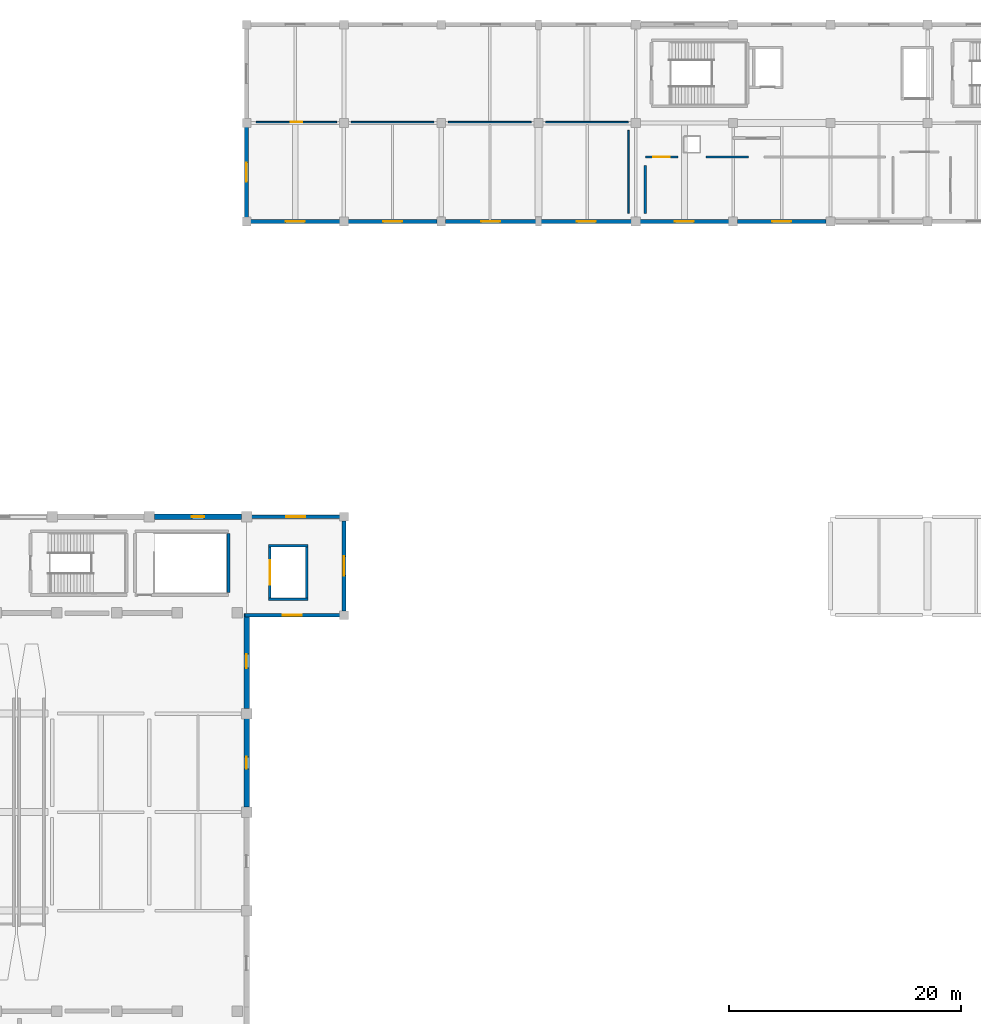
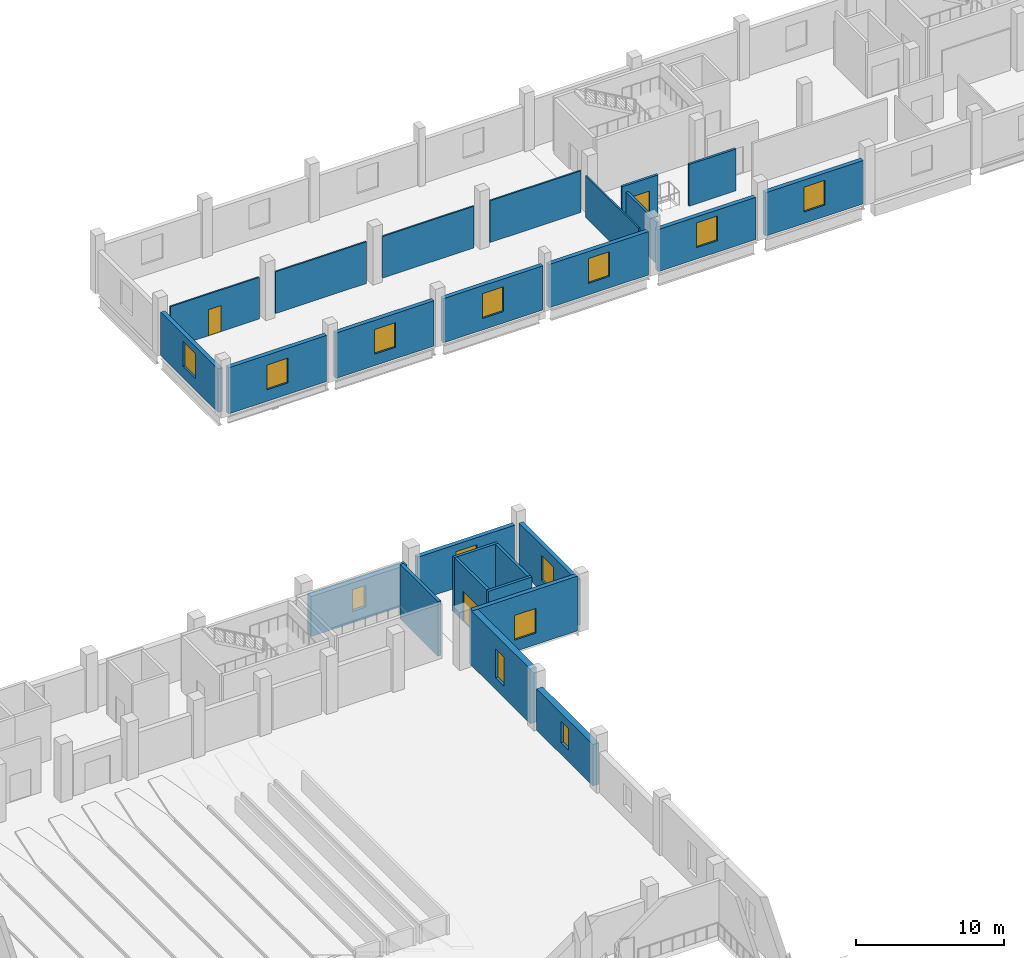
# One storey, part 104 of 117: 26 walls, 13 windows, 3 doors, 16 openings.
"""IFC4 building model written with IfcOpenShell, lengths in metres."""

from ifc_helpers import new_model, si_unit, direction, frame, frame_2d, origin, place, context, subcontext, project, spatial, rectangle, extrude, material, layer, layer_set, type_object, element, fill, save


model = new_model("IFC4")

# Units and contexts
model_context = context("Model", 3, precision=1e-05, world=origin(), true_north=direction((0.0, 1.0)))
body_context = subcontext(model_context, "Body", "Model", "MODEL_VIEW")
ifc_project = project(units=[si_unit("LENGTHUNIT", "METRE"), si_unit("AREAUNIT", "SQUARE_METRE"), si_unit("VOLUMEUNIT", "CUBIC_METRE"), si_unit("PLANEANGLEUNIT", "RADIAN"), si_unit("MASSUNIT", "GRAM", prefix="KILO")], contexts=[model_context])

# Site, building, storey
site_placement = place(None, origin())
site = spatial("IfcSite", under=ifc_project, at=site_placement, CompositionType="ELEMENT")
building_placement = place(site_placement, origin())
building = spatial("IfcBuilding", under=site, at=building_placement, Name="Solvento Point Concert Hall", CompositionType="ELEMENT")
storey_placement = place(building_placement, frame((0.0, 0.0, 5.39990234375)))
storey = spatial("IfcBuildingStorey", under=building, at=storey_placement, Name="L01", CompositionType="ELEMENT", Elevation=5.39990234375)

# Wall, opening, door
ifc_material_1 = material(Name="Acoustic Double-Stud Gypsum Partition")
ifc_layer_1 = layer(ifc_material_1, 0.1201171875)
ifc_layer_set_1 = layer_set([ifc_layer_1], Name="Acoustic Double-Stud Gypsum Partition")
wall_type_1 = type_object("IfcWallType", Name="AcousticPartition_120", PredefinedType="PARTITIONING", material=ifc_layer_set_1)
wall_1_placement = place(storey_placement, frame((134.02001953125, 127.580078125, 0.0), z_axis=(0.0, 0.0, 1.0), x_axis=(1.0, 0.0, 0.0)))
wall_1 = element("IfcWall", 1, at=wall_1_placement, inside=storey, type_object=wall_type_1, Name="Interior acoustic partition PW-52 L01", PredefinedType="PARTITIONING", context=body_context, shape_type="SweptSolid", body=[
    extrude(rectangle(XDim=6.955078125, YDim=0.1201171875, at=frame_2d((3.4775390625, 0.0))), origin(), (0.0, 0.0, 1.0), 3.4501953125),
])
opening_1_placement = place(wall_1_placement, frame((2.987548828125, 0.0, 0.0)))
opening_1 = element("IfcOpeningElement", 2, at=opening_1_placement, cuts=wall_1, Name="Opening DR-89", PredefinedType="OPENING", context=body_context, shape_type="SweptSolid", body=[
    extrude(rectangle(XDim=0.97998046875, YDim=2.159912109375, at=frame_2d((0.489990234375, 1.080078125))), frame((0.0, 0.070068359375, 0.0), z_axis=(0.0, -1.0, 0.0), x_axis=(1.0, 0.0, 0.0)), (0.0, 0.0, 1.0), 0.14013671875),
])
ifc_material_2 = material(Name="Brazilian Hardwood Acoustic Door", Category="wood")
door_type_1 = type_object("IfcDoorType", Name="IntDoor_AdminOffice", OperationType="NOTDEFINED", PredefinedType="DOOR", material=ifc_material_2)
door_1_placement = place(opening_1_placement, origin())
door_1 = element("IfcDoor", 3, at=door_1_placement, inside=storey, type_object=door_type_1, Name="Interior door DR-89 L01", OperationType="SINGLE_SWING_RIGHT", OverallHeight=2.159912109375, OverallWidth=0.97998046875, PredefinedType="DOOR", context=body_context, shape_type="SweptSolid", body=[
    extrude(rectangle(XDim=0.97998046875, YDim=2.159912109375, at=frame_2d((0.489990234375, 1.080078125))), frame((0.0, 0.02490234375, 0.0), z_axis=(0.0, -1.0, 0.0), x_axis=(1.0, 0.0, 0.0)), (0.0, 0.0, 1.0), 0.050048828125),
])
fill(opening_1, door_1)

# Walls
for number, where, z_axis, x_axis, name in (
    (4, (142.22509765625, 127.580078125, 0.0), (0.0, 0.0, 1.0), (1.0, 0.0, 0.0), "Interior acoustic partition PW-52 L01"),
    (5, (150.625, 127.580078125, 0.0), (0.0, 0.0, 1.0), (1.0, 0.0, 0.0), "Interior acoustic partition PW-52 L01"),
):
    element("IfcWall", number, at=place(storey_placement, frame(where, z_axis=z_axis, x_axis=x_axis)), inside=storey, type_object=wall_type_1, Name=name, PredefinedType="PARTITIONING", context=body_context, shape_type="SweptSolid", body=[
        extrude(rectangle(XDim=7.14990234375, YDim=0.1201171875, at=frame_2d((3.574951171875, 0.0))), origin(), (0.0, 0.0, 1.0), 3.4501953125),
    ])
wall_2_placement = place(storey_placement, frame((159.02490234375, 127.580078125, 0.0), z_axis=(0.0, 0.0, 1.0), x_axis=(1.0, 0.0, 0.0)))
element("IfcWall", 6, at=wall_2_placement, inside=storey, type_object=wall_type_1, Name="Interior acoustic partition PW-52 L01", PredefinedType="PARTITIONING", context=body_context, shape_type="SweptSolid", body=[
    extrude(rectangle(XDim=7.135009765625, YDim=0.1201171875, at=frame_2d((3.5673828125, 0.0))), origin(), (0.0, 0.0, 1.0), 3.4501953125),
])
wall_3_placement = place(storey_placement, frame((166.179931640625, 126.860107421875, 0.0), z_axis=(0.0, 0.0, 1.0), x_axis=(0.0, -1.0, 0.0)))
element("IfcWall", 7, at=wall_3_placement, inside=storey, type_object=wall_type_1, Name="Interior acoustic partition PW-52 L01", PredefinedType="PARTITIONING", context=body_context, shape_type="SweptSolid", body=[
    extrude(rectangle(XDim=7.16015625, YDim=0.1201171875, at=frame_2d((3.580078125, 0.0))), origin(), (0.0, 0.0, 1.0), 3.4501953125),
])

# Wall, opening, door
ifc_material_3 = material(Name="Acoustic Double-Stud Gypsum Partition")
ifc_layer_2 = layer(ifc_material_3, 0.179931640625)
ifc_layer_set_2 = layer_set([ifc_layer_2], Name="Acoustic Double-Stud Gypsum Partition")
wall_type_2 = type_object("IfcWallType", Name="AcousticPartition_180", PredefinedType="PARTITIONING", material=ifc_layer_set_2)
wall_4_placement = place(storey_placement, frame((167.6201171875, 124.580078125, 0.0), z_axis=(0.0, 0.0, 1.0), x_axis=(1.0, 0.0, 0.0)))
wall_4 = element("IfcWall", 8, at=wall_4_placement, inside=storey, type_object=wall_type_2, Name="Interior acoustic partition PW-63 L01", PredefinedType="PARTITIONING", context=body_context, shape_type="SweptSolid", body=[
    extrude(rectangle(XDim=2.82080078125, YDim=0.179931640625, at=frame_2d((1.410400390625, 0.0))), origin(), (0.0, 0.0, 1.0), 3.4501953125),
])
opening_2_placement = place(wall_4_placement, frame((0.700439453125, 0.0, 0.0)))
opening_2 = element("IfcOpeningElement", 9, at=opening_2_placement, cuts=wall_4, Name="Opening DR-81", PredefinedType="OPENING", context=body_context, shape_type="SweptSolid", body=[
    extrude(rectangle(XDim=1.419921875, YDim=2.340087890625, at=frame_2d((0.7099609375, 1.169921875))), frame((0.0, 0.099853515625, 0.0), z_axis=(0.0, -1.0, 0.0), x_axis=(1.0, 0.0, 0.0)), (0.0, 0.0, 1.0), 0.199951171875),
])
ifc_material_4 = material(Name="Brazilian Hardwood Acoustic Door", Category="wood")
door_type_2 = type_object("IfcDoorType", Name="IntDoor_CanteenGreenRm", OperationType="NOTDEFINED", PredefinedType="DOOR", material=ifc_material_4)
door_2_placement = place(opening_2_placement, origin())
door_2 = element("IfcDoor", 10, at=door_2_placement, inside=storey, type_object=door_type_2, Name="Interior door DR-81 L01", OperationType="SINGLE_SWING_RIGHT", OverallHeight=2.340087890625, OverallWidth=1.419921875, PredefinedType="DOOR", context=body_context, shape_type="SweptSolid", body=[
    extrude(rectangle(XDim=1.419921875, YDim=2.340087890625, at=frame_2d((0.7099609375, 1.169921875))), frame((0.0, 0.02490234375, 0.0), z_axis=(0.0, -1.0, 0.0), x_axis=(1.0, 0.0, 0.0)), (0.0, 0.0, 1.0), 0.050048828125),
])
fill(opening_2, door_2)

# Walls
wall_5_placement = place(storey_placement, frame((172.85888671875, 124.580078125, 0.0), z_axis=(0.0, 0.0, 1.0), x_axis=(1.0, 0.0, 0.0)))
element("IfcWall", 11, at=wall_5_placement, inside=storey, type_object=wall_type_2, Name="Interior acoustic partition PW-63 L01", PredefinedType="PARTITIONING", context=body_context, shape_type="SweptSolid", body=[
    extrude(rectangle(XDim=3.680419921875, YDim=0.179931640625, at=frame_2d((1.84033203125, 0.0))), origin(), (0.0, 0.0, 1.0), 3.4501953125),
])
wall_6_placement = place(storey_placement, frame((167.6201171875, 119.699951171875, 0.0), z_axis=(0.0, 0.0, 1.0), x_axis=(0.0, 1.0, 0.0)))
element("IfcWall", 12, at=wall_6_placement, inside=storey, type_object=wall_type_2, Name="Interior acoustic partition PW-63 L01", PredefinedType="PARTITIONING", context=body_context, shape_type="SweptSolid", body=[
    extrude(rectangle(XDim=4.124755859375, YDim=0.179931640625, at=frame_2d((2.0625, 0.0))), origin(), (0.0, 0.0, 1.0), 3.4501953125),
])
ifc_material_5 = material(Name="Concrete C40/50", Category="concrete")
ifc_layer_3 = layer(ifc_material_5, 0.300048828125)
ifc_layer_set_3 = layer_set([ifc_layer_3], Name="Concrete C40/50")
wall_type_3 = type_object("IfcWallType", Name="CoreShearWall_300", PredefinedType="SHEAR", material=ifc_layer_set_3)
wall_7_placement = place(storey_placement, frame((131.64990234375, 92.050048828125, 0.0), z_axis=(0.0, 0.0, 1.0), x_axis=(0.0, -1.0, 0.0)))
element("IfcWall", 13, at=wall_7_placement, inside=storey, type_object=wall_type_3, Name="Stair core shear wall W-SH1 VOM-04 L01", PredefinedType="SHEAR", context=body_context, shape_type="SweptSolid", body=[
    extrude(rectangle(XDim=5.10009765625, YDim=0.25, at=frame_2d((2.550048828125, 0.0))), origin(), (0.0, 0.0, 1.0), 4.530029296875),
])
for number, where, z_axis, x_axis, name in (
    (14, (135.090087890625, 86.39990234375, 0.0), (0.0, 0.0, 1.0), (1.0, 0.0, 0.0), "Elevator shaft shear wall W-SH1 LG-01 L01"),
    (15, (135.090087890625, 91.0, 0.0), (0.0, 0.0, 1.0), (1.0, 0.0, 0.0), "Elevator shaft shear wall W-SH1 LG-01 L01"),
):
    element("IfcWall", number, at=place(storey_placement, frame(where, z_axis=z_axis, x_axis=x_axis)), inside=storey, type_object=wall_type_3, Name=name, PredefinedType="SHEAR", context=body_context, shape_type="SweptSolid", body=[
        extrude(rectangle(XDim=3.419921875, YDim=0.219970703125, at=frame_2d((1.7099609375, 0.0))), origin(), (0.0, 0.0, 1.0), 4.530029296875),
    ])

# Wall, opening, door
wall_8_placement = place(storey_placement, frame((135.199951171875, 86.510009765625, 0.0), z_axis=(0.0, 0.0, 1.0), x_axis=(0.0, 1.0, 0.0)))
wall_8 = element("IfcWall", 16, at=wall_8_placement, inside=storey, type_object=wall_type_3, Name="Elevator shaft shear wall W-SH1 LG-01 L01", PredefinedType="SHEAR", context=body_context, shape_type="SweptSolid", body=[
    extrude(rectangle(XDim=4.3798828125, YDim=0.219970703125, at=frame_2d((2.18994140625, 0.0))), origin(), (0.0, 0.0, 1.0), 4.530029296875),
])
opening_3_placement = place(wall_8_placement, frame((1.139892578125, 0.0, 0.0)))
opening_3 = element("IfcOpeningElement", 17, at=opening_3_placement, cuts=wall_8, Name="Opening LD-03", PredefinedType="OPENING", context=body_context, shape_type="SweptSolid", body=[
    extrude(rectangle(XDim=2.10009765625, YDim=2.449951171875, at=frame_2d((1.050048828125, 1.22509765625))), frame((0.0, 0.119873046875, 0.0), z_axis=(0.0, -1.0, 0.0), x_axis=(1.0, 0.0, 0.0)), (0.0, 0.0, 1.0), 0.239990234375),
])
ifc_material_6 = material(Name="Hollow Metal Acoustic Fire Door")
door_type_3 = type_object("IfcDoorType", Name="LiftLandingDoor_Goods", OperationType="DOUBLE_DOOR_SLIDING", PredefinedType="DOOR", material=ifc_material_6)
door_3_placement = place(opening_3_placement, origin())
door_3 = element("IfcDoor", 18, at=door_3_placement, inside=storey, type_object=door_type_3, Name="Elevator landing door LG-01 L01", OperationType="DOUBLE_DOOR_SLIDING", OverallHeight=2.449951171875, OverallWidth=2.10009765625, PredefinedType="DOOR", context=body_context, shape_type="SweptSolid", body=[
    extrude(rectangle(XDim=2.10009765625, YDim=2.449951171875, at=frame_2d((1.050048828125, 1.22509765625))), frame((0.0, 0.02490234375, 0.0), z_axis=(0.0, -1.0, 0.0), x_axis=(1.0, 0.0, 0.0)), (0.0, 0.0, 1.0), 0.050048828125),
])
fill(opening_3, door_3)

# Wall
wall_9_placement = place(storey_placement, frame((138.39990234375, 86.510009765625, 0.0), z_axis=(0.0, 0.0, 1.0), x_axis=(0.0, 1.0, 0.0)))
element("IfcWall", 19, at=wall_9_placement, inside=storey, type_object=wall_type_3, Name="Elevator shaft shear wall W-SH1 LG-01 L01", PredefinedType="SHEAR", context=body_context, shape_type="SweptSolid", body=[
    extrude(rectangle(XDim=4.3798828125, YDim=0.219970703125, at=frame_2d((2.18994140625, 0.0))), origin(), (0.0, 0.0, 1.0), 4.530029296875),
])

# Wall, opening, window
ifc_material_7 = material(Name="Concrete C40/50", Category="concrete")
ifc_layer_4 = layer(ifc_material_7, 0.47998046875)
ifc_layer_set_4 = layer_set([ifc_layer_4], Name="Concrete C40/50")
wall_type_4 = type_object("IfcWallType", Name="ExtWall_V1_Drum_480", PredefinedType="SOLIDWALL", material=ifc_layer_set_4)
wall_10_placement = place(storey_placement, frame((125.22998046875, 93.5, 0.0), z_axis=(0.0, 0.0, 1.0), x_axis=(1.0, 0.0, 0.0)))
wall_10 = element("IfcWall", 20, at=wall_10_placement, inside=storey, type_object=wall_type_4, Name="Exterior architectural concrete wall EW-46 L01", PredefinedType="SOLIDWALL", context=body_context, shape_type="SweptSolid", body=[
    extrude(rectangle(XDim=7.5400390625, YDim=0.47998046875, at=frame_2d((3.77001953125, 0.0))), origin(), (0.0, 0.0, 1.0), 3.318115234375),
])
opening_4_placement = place(wall_10_placement, frame((3.2451171875, 0.0, 0.949951171875)))
opening_4 = element("IfcOpeningElement", 21, at=opening_4_placement, cuts=wall_10, Name="Opening WN-89", PredefinedType="OPENING", context=body_context, shape_type="SweptSolid", body=[
    extrude(rectangle(XDim=1.050048828125, YDim=1.800048828125, at=frame_2d((0.52490234375, 0.89990234375))), frame((0.0, 0.25, 0.0), z_axis=(0.0, -1.0, 0.0), x_axis=(1.0, 0.0, 0.0)), (0.0, 0.0, 1.0), 0.5),
])
ifc_material_8 = material(Name="Hurricane Laminated Low-E Glass", Category="glass")
window_type_1 = type_object("IfcWindowType", Name="Win_NarrowPier_1050", PartitioningType="SINGLE_PANEL", PredefinedType="WINDOW", material=ifc_material_8)
window_1_placement = place(opening_4_placement, origin())
window_1 = element("IfcWindow", 22, at=window_1_placement, inside=storey, type_object=window_type_1, Name="Impact acoustic window WN-89", OverallHeight=1.800048828125, OverallWidth=1.050048828125, PartitioningType="SINGLE_PANEL", PredefinedType="WINDOW", context=body_context, shape_type="SweptSolid", body=[
    extrude(rectangle(XDim=1.050048828125, YDim=1.800048828125, at=frame_2d((0.52490234375, 0.89990234375))), frame((0.0, 0.030029296875, 0.0), z_axis=(0.0, -1.0, 0.0), x_axis=(1.0, 0.0, 0.0)), (0.0, 0.0, 1.0), 0.06005859375),
])
fill(opening_4, window_1)

wall_11_placement = place(storey_placement, frame((133.199951171875, 76.070068359375, 0.0), z_axis=(0.0, 0.0, 1.0), x_axis=(0.0, -1.0, 0.0)))
wall_11 = element("IfcWall", 23, at=wall_11_placement, inside=storey, type_object=wall_type_4, Name="Exterior architectural concrete wall EW-46 L01", PredefinedType="SOLIDWALL", context=body_context, shape_type="SweptSolid", body=[
    extrude(rectangle(XDim=7.64013671875, YDim=0.47998046875, at=frame_2d((3.820068359375, 0.0))), origin(), (0.0, 0.0, 1.0), 3.424072265625),
])
opening_5_placement = place(wall_11_placement, frame((3.294921875, 0.0, 0.949951171875)))
opening_5 = element("IfcOpeningElement", 24, at=opening_5_placement, cuts=wall_11, Name="Opening WN-89", PredefinedType="OPENING", context=body_context, shape_type="SweptSolid", body=[
    extrude(rectangle(XDim=1.050048828125, YDim=1.800048828125, at=frame_2d((0.52490234375, 0.89990234375))), frame((0.0, 0.25, 0.0), z_axis=(0.0, -1.0, 0.0), x_axis=(1.0, 0.0, 0.0)), (0.0, 0.0, 1.0), 0.5),
])
window_2_placement = place(opening_5_placement, origin())
window_2 = element("IfcWindow", 25, at=window_2_placement, inside=storey, type_object=window_type_1, Name="Impact acoustic window WN-89", OverallHeight=1.800048828125, OverallWidth=1.050048828125, PartitioningType="SINGLE_PANEL", PredefinedType="WINDOW", context=body_context, shape_type="SweptSolid", body=[
    extrude(rectangle(XDim=1.050048828125, YDim=1.800048828125, at=frame_2d((0.52490234375, 0.89990234375))), frame((0.0, 0.030029296875, 0.0), z_axis=(0.0, -1.0, 0.0), x_axis=(1.0, 0.0, 0.0)), (0.0, 0.0, 1.0), 0.06005859375),
])
fill(opening_5, window_2)

wall_12_placement = place(storey_placement, frame((133.199951171875, 85.159912109375, 0.0), z_axis=(0.0, 0.0, 1.0), x_axis=(0.0, -1.0, 0.0)))
wall_12 = element("IfcWall", 26, at=wall_12_placement, inside=storey, type_object=wall_type_4, Name="Exterior architectural concrete wall EW-46 L01", PredefinedType="SOLIDWALL", context=body_context, shape_type="SweptSolid", body=[
    extrude(rectangle(XDim=8.22998046875, YDim=0.47998046875, at=frame_2d((4.114990234375, 0.0))), origin(), (0.0, 0.0, 1.0), 4.530029296875),
])
opening_6_placement = place(wall_12_placement, frame((3.514892578125, 0.0, 0.949951171875)))
opening_6 = element("IfcOpeningElement", 27, at=opening_6_placement, cuts=wall_12, Name="Opening WN-95", PredefinedType="OPENING", context=body_context, shape_type="SweptSolid", body=[
    extrude(rectangle(XDim=1.199951171875, YDim=2.39990234375, at=frame_2d((0.60009765625, 1.199951171875))), frame((0.0, 0.25, 0.0), z_axis=(0.0, -1.0, 0.0), x_axis=(1.0, 0.0, 0.0)), (0.0, 0.0, 1.0), 0.5),
])
ifc_material_9 = material(Name="Hurricane Laminated Low-E Glass", Category="glass")
window_type_2 = type_object("IfcWindowType", Name="Win_V1_DrumSlot_L01", PartitioningType="SINGLE_PANEL", PredefinedType="WINDOW", material=ifc_material_9)
window_3_placement = place(opening_6_placement, origin())
window_3 = element("IfcWindow", 28, at=window_3_placement, inside=storey, type_object=window_type_2, Name="Impact acoustic window WN-95", OverallHeight=2.39990234375, OverallWidth=1.199951171875, PartitioningType="SINGLE_PANEL", PredefinedType="WINDOW", context=body_context, shape_type="SweptSolid", body=[
    extrude(rectangle(XDim=1.199951171875, YDim=2.39990234375, at=frame_2d((0.60009765625, 1.199951171875))), frame((0.0, 0.030029296875, 0.0), z_axis=(0.0, -1.0, 0.0), x_axis=(1.0, 0.0, 0.0)), (0.0, 0.0, 1.0), 0.06005859375),
])
fill(opening_6, window_3)

ifc_material_10 = material(Name="Concrete C35/45", Category="concrete")
ifc_layer_5 = layer(ifc_material_10, 0.330078125)
ifc_layer_set_5 = layer_set([ifc_layer_5], Name="Concrete C35/45")
wall_type_5 = type_object("IfcWallType", Name="ExtWall_V5_Plinth_330", PredefinedType="SOLIDWALL", material=ifc_layer_set_5)
wall_13_placement = place(storey_placement, frame((141.2451171875, 119.0, 0.0), z_axis=(0.0, 0.0, 1.0), x_axis=(-1.0, 0.0, 0.0)))
wall_13 = element("IfcWall", 29, at=wall_13_placement, inside=storey, type_object=wall_type_5, Name="Exterior architectural concrete wall EW-72 L01", PredefinedType="SOLIDWALL", context=body_context, shape_type="SweptSolid", body=[
    extrude(rectangle(XDim=7.690185546875, YDim=0.330078125, at=frame_2d((3.84521484375, 0.0))), origin(), (0.0, 0.0, 1.0), 3.821044921875),
])
opening_7_placement = place(wall_13_placement, frame((3.02001953125, 0.0, 0.949951171875)))
opening_7 = element("IfcOpeningElement", 30, at=opening_7_placement, cuts=wall_13, Name="Opening WN-30", PredefinedType="OPENING", context=body_context, shape_type="SweptSolid", body=[
    extrude(rectangle(XDim=1.64990234375, YDim=2.050048828125, at=frame_2d((0.824951171875, 1.02490234375))), frame((0.0, 0.175048828125, 0.0), z_axis=(0.0, -1.0, 0.0), x_axis=(1.0, 0.0, 0.0)), (0.0, 0.0, 1.0), 0.35009765625),
])
ifc_material_11 = material(Name="Hurricane Laminated Low-E Glass", Category="glass")
window_type_3 = type_object("IfcWindowType", Name="Win_V5_SoloistDress_L01", PartitioningType="SINGLE_PANEL", PredefinedType="WINDOW", material=ifc_material_11)
window_4_placement = place(opening_7_placement, origin())
window_4 = element("IfcWindow", 31, at=window_4_placement, inside=storey, type_object=window_type_3, Name="Impact acoustic window WN-30", OverallHeight=2.050048828125, OverallWidth=1.64990234375, PartitioningType="SINGLE_PANEL", PredefinedType="WINDOW", context=body_context, shape_type="SweptSolid", body=[
    extrude(rectangle(XDim=1.64990234375, YDim=2.050048828125, at=frame_2d((0.824951171875, 1.02490234375))), frame((0.0, 0.030029296875, 0.0), z_axis=(0.0, -1.0, 0.0), x_axis=(1.0, 0.0, 0.0)), (0.0, 0.0, 1.0), 0.06005859375),
])
fill(opening_7, window_4)

wall_14_placement = place(storey_placement, frame((149.64501953125, 119.0, 0.0), z_axis=(0.0, 0.0, 1.0), x_axis=(-1.0, 0.0, 0.0)))
wall_14 = element("IfcWall", 32, at=wall_14_placement, inside=storey, type_object=wall_type_5, Name="Exterior architectural concrete wall EW-72 L01", PredefinedType="SOLIDWALL", context=body_context, shape_type="SweptSolid", body=[
    extrude(rectangle(XDim=7.68994140625, YDim=0.330078125, at=frame_2d((3.844970703125, 0.0))), origin(), (0.0, 0.0, 1.0), 3.744140625),
])
opening_8_placement = place(wall_14_placement, frame((3.02001953125, 0.0, 0.949951171875)))
opening_8 = element("IfcOpeningElement", 33, at=opening_8_placement, cuts=wall_14, Name="Opening WN-30", PredefinedType="OPENING", context=body_context, shape_type="SweptSolid", body=[
    extrude(rectangle(XDim=1.64990234375, YDim=2.050048828125, at=frame_2d((0.824951171875, 1.02490234375))), frame((0.0, 0.175048828125, 0.0), z_axis=(0.0, -1.0, 0.0), x_axis=(1.0, 0.0, 0.0)), (0.0, 0.0, 1.0), 0.35009765625),
])
window_5_placement = place(opening_8_placement, origin())
window_5 = element("IfcWindow", 34, at=window_5_placement, inside=storey, type_object=window_type_3, Name="Impact acoustic window WN-30", OverallHeight=2.050048828125, OverallWidth=1.64990234375, PartitioningType="SINGLE_PANEL", PredefinedType="WINDOW", context=body_context, shape_type="SweptSolid", body=[
    extrude(rectangle(XDim=1.64990234375, YDim=2.050048828125, at=frame_2d((0.824951171875, 1.02490234375))), frame((0.0, 0.030029296875, 0.0), z_axis=(0.0, -1.0, 0.0), x_axis=(1.0, 0.0, 0.0)), (0.0, 0.0, 1.0), 0.06005859375),
])
fill(opening_8, window_5)

wall_15_placement = place(storey_placement, frame((158.169921875, 119.0, 0.0), z_axis=(0.0, 0.0, 1.0), x_axis=(-1.0, 0.0, 0.0)))
wall_15 = element("IfcWall", 35, at=wall_15_placement, inside=storey, type_object=wall_type_5, Name="Exterior architectural concrete wall EW-72 L01", PredefinedType="SOLIDWALL", context=body_context, shape_type="SweptSolid", body=[
    extrude(rectangle(XDim=7.81494140625, YDim=0.330078125, at=frame_2d((3.907470703125, 0.0))), origin(), (0.0, 0.0, 1.0), 3.655029296875),
])
opening_9_placement = place(wall_15_placement, frame((3.08251953125, 0.0, 0.949951171875)))
opening_9 = element("IfcOpeningElement", 36, at=opening_9_placement, cuts=wall_15, Name="Opening WN-30", PredefinedType="OPENING", context=body_context, shape_type="SweptSolid", body=[
    extrude(rectangle(XDim=1.64990234375, YDim=2.050048828125, at=frame_2d((0.824951171875, 1.02490234375))), frame((0.0, 0.175048828125, 0.0), z_axis=(0.0, -1.0, 0.0), x_axis=(1.0, 0.0, 0.0)), (0.0, 0.0, 1.0), 0.35009765625),
])
window_6_placement = place(opening_9_placement, origin())
window_6 = element("IfcWindow", 37, at=window_6_placement, inside=storey, type_object=window_type_3, Name="Impact acoustic window WN-30", OverallHeight=2.050048828125, OverallWidth=1.64990234375, PartitioningType="SINGLE_PANEL", PredefinedType="WINDOW", context=body_context, shape_type="SweptSolid", body=[
    extrude(rectangle(XDim=1.64990234375, YDim=2.050048828125, at=frame_2d((0.824951171875, 1.02490234375))), frame((0.0, 0.030029296875, 0.0), z_axis=(0.0, -1.0, 0.0), x_axis=(1.0, 0.0, 0.0)), (0.0, 0.0, 1.0), 0.06005859375),
])
fill(opening_9, window_6)

wall_16_placement = place(storey_placement, frame((166.429931640625, 119.0, 0.0), z_axis=(0.0, 0.0, 1.0), x_axis=(-1.0, 0.0, 0.0)))
wall_16 = element("IfcWall", 38, at=wall_16_placement, inside=storey, type_object=wall_type_5, Name="Exterior architectural concrete wall EW-72 L01", PredefinedType="SOLIDWALL", context=body_context, shape_type="SweptSolid", body=[
    extrude(rectangle(XDim=7.800048828125, YDim=0.330078125, at=frame_2d((3.89990234375, 0.0))), origin(), (0.0, 0.0, 1.0), 3.587158203125),
])
opening_10_placement = place(wall_16_placement, frame((3.074951171875, 0.0, 0.949951171875)))
opening_10 = element("IfcOpeningElement", 39, at=opening_10_placement, cuts=wall_16, Name="Opening WN-30", PredefinedType="OPENING", context=body_context, shape_type="SweptSolid", body=[
    extrude(rectangle(XDim=1.64990234375, YDim=2.050048828125, at=frame_2d((0.824951171875, 1.02490234375))), frame((0.0, 0.175048828125, 0.0), z_axis=(0.0, -1.0, 0.0), x_axis=(1.0, 0.0, 0.0)), (0.0, 0.0, 1.0), 0.35009765625),
])
window_7_placement = place(opening_10_placement, origin())
window_7 = element("IfcWindow", 40, at=window_7_placement, inside=storey, type_object=window_type_3, Name="Impact acoustic window WN-30", OverallHeight=2.050048828125, OverallWidth=1.64990234375, PartitioningType="SINGLE_PANEL", PredefinedType="WINDOW", context=body_context, shape_type="SweptSolid", body=[
    extrude(rectangle(XDim=1.64990234375, YDim=2.050048828125, at=frame_2d((0.824951171875, 1.02490234375))), frame((0.0, 0.030029296875, 0.0), z_axis=(0.0, -1.0, 0.0), x_axis=(1.0, 0.0, 0.0)), (0.0, 0.0, 1.0), 0.06005859375),
])
fill(opening_10, window_7)

wall_17_placement = place(storey_placement, frame((133.199951171875, 119.35498046875, 0.0), z_axis=(0.0, 0.0, 1.0), x_axis=(0.0, 1.0, 0.0)))
wall_17 = element("IfcWall", 41, at=wall_17_placement, inside=storey, type_object=wall_type_5, Name="Exterior architectural concrete wall EW-72 L01", PredefinedType="SOLIDWALL", context=body_context, shape_type="SweptSolid", body=[
    extrude(rectangle(XDim=7.7900390625, YDim=0.330078125, at=frame_2d((3.89501953125, 0.0))), origin(), (0.0, 0.0, 1.0), 3.587158203125),
])
opening_11_placement = place(wall_17_placement, frame((3.070068359375, 0.0, 0.949951171875)))
opening_11 = element("IfcOpeningElement", 42, at=opening_11_placement, cuts=wall_17, Name="Opening WN-30", PredefinedType="OPENING", context=body_context, shape_type="SweptSolid", body=[
    extrude(rectangle(XDim=1.64990234375, YDim=2.050048828125, at=frame_2d((0.824951171875, 1.02490234375))), frame((0.0, 0.175048828125, 0.0), z_axis=(0.0, -1.0, 0.0), x_axis=(1.0, 0.0, 0.0)), (0.0, 0.0, 1.0), 0.35009765625),
])
window_8_placement = place(opening_11_placement, origin())
window_8 = element("IfcWindow", 43, at=window_8_placement, inside=storey, type_object=window_type_3, Name="Impact acoustic window WN-30", OverallHeight=2.050048828125, OverallWidth=1.64990234375, PartitioningType="SINGLE_PANEL", PredefinedType="WINDOW", context=body_context, shape_type="SweptSolid", body=[
    extrude(rectangle(XDim=1.64990234375, YDim=2.050048828125, at=frame_2d((0.824951171875, 1.02490234375))), frame((0.0, 0.030029296875, 0.0), z_axis=(0.0, -1.0, 0.0), x_axis=(1.0, 0.0, 0.0)), (0.0, 0.0, 1.0), 0.06005859375),
])
fill(opening_11, window_8)

wall_18_placement = place(storey_placement, frame((174.830078125, 119.0, 0.0), z_axis=(0.0, 0.0, 1.0), x_axis=(-1.0, 0.0, 0.0)))
wall_18 = element("IfcWall", 44, at=wall_18_placement, inside=storey, type_object=wall_type_5, Name="Exterior architectural concrete wall EW-72 L01", PredefinedType="SOLIDWALL", context=body_context, shape_type="SweptSolid", body=[
    extrude(rectangle(XDim=7.66015625, YDim=0.330078125, at=frame_2d((3.830078125, 0.0))), origin(), (0.0, 0.0, 1.0), 3.488037109375),
])
opening_12_placement = place(wall_18_placement, frame((3.0048828125, 0.0, 0.949951171875)))
opening_12 = element("IfcOpeningElement", 45, at=opening_12_placement, cuts=wall_18, Name="Opening WN-30", PredefinedType="OPENING", context=body_context, shape_type="SweptSolid", body=[
    extrude(rectangle(XDim=1.64990234375, YDim=2.050048828125, at=frame_2d((0.824951171875, 1.02490234375))), frame((0.0, 0.175048828125, 0.0), z_axis=(0.0, -1.0, 0.0), x_axis=(1.0, 0.0, 0.0)), (0.0, 0.0, 1.0), 0.35009765625),
])
window_9_placement = place(opening_12_placement, origin())
window_9 = element("IfcWindow", 46, at=window_9_placement, inside=storey, type_object=window_type_3, Name="Impact acoustic window WN-30", OverallHeight=2.050048828125, OverallWidth=1.64990234375, PartitioningType="SINGLE_PANEL", PredefinedType="WINDOW", context=body_context, shape_type="SweptSolid", body=[
    extrude(rectangle(XDim=1.64990234375, YDim=2.050048828125, at=frame_2d((0.824951171875, 1.02490234375))), frame((0.0, 0.030029296875, 0.0), z_axis=(0.0, -1.0, 0.0), x_axis=(1.0, 0.0, 0.0)), (0.0, 0.0, 1.0), 0.06005859375),
])
fill(opening_12, window_9)

wall_19_placement = place(storey_placement, frame((183.22998046875, 119.0, 0.0), z_axis=(0.0, 0.0, 1.0), x_axis=(-1.0, 0.0, 0.0)))
wall_19 = element("IfcWall", 47, at=wall_19_placement, inside=storey, type_object=wall_type_5, Name="Exterior architectural concrete wall EW-72 L01", PredefinedType="SOLIDWALL", context=body_context, shape_type="SweptSolid", body=[
    extrude(rectangle(XDim=7.659912109375, YDim=0.330078125, at=frame_2d((3.830078125, 0.0))), origin(), (0.0, 0.0, 1.0), 3.593994140625),
])
opening_13_placement = place(wall_19_placement, frame((3.0048828125, 0.0, 0.949951171875)))
opening_13 = element("IfcOpeningElement", 48, at=opening_13_placement, cuts=wall_19, Name="Opening WN-30", PredefinedType="OPENING", context=body_context, shape_type="SweptSolid", body=[
    extrude(rectangle(XDim=1.64990234375, YDim=2.050048828125, at=frame_2d((0.824951171875, 1.02490234375))), frame((0.0, 0.175048828125, 0.0), z_axis=(0.0, -1.0, 0.0), x_axis=(1.0, 0.0, 0.0)), (0.0, 0.0, 1.0), 0.35009765625),
])
window_10_placement = place(opening_13_placement, origin())
window_10 = element("IfcWindow", 49, at=window_10_placement, inside=storey, type_object=window_type_3, Name="Impact acoustic window WN-30", OverallHeight=2.050048828125, OverallWidth=1.64990234375, PartitioningType="SINGLE_PANEL", PredefinedType="WINDOW", context=body_context, shape_type="SweptSolid", body=[
    extrude(rectangle(XDim=1.64990234375, YDim=2.050048828125, at=frame_2d((0.824951171875, 1.02490234375))), frame((0.0, 0.030029296875, 0.0), z_axis=(0.0, -1.0, 0.0), x_axis=(1.0, 0.0, 0.0)), (0.0, 0.0, 1.0), 0.06005859375),
])
fill(opening_13, window_10)

wall_20_placement = place(storey_placement, frame((133.6298828125, 93.5, 0.0), z_axis=(0.0, 0.0, 1.0), x_axis=(1.0, 0.0, 0.0)))
wall_20 = element("IfcWall", 50, at=wall_20_placement, inside=storey, type_object=wall_type_5, Name="Exterior architectural concrete wall EW-72 L01", PredefinedType="SOLIDWALL", context=body_context, shape_type="SweptSolid", body=[
    extrude(rectangle(XDim=7.615234375, YDim=0.330078125, at=frame_2d((3.8076171875, 0.0))), origin(), (0.0, 0.0, 1.0), 3.593994140625),
])
opening_14_placement = place(wall_20_placement, frame((2.982421875, 0.0, 0.949951171875)))
opening_14 = element("IfcOpeningElement", 51, at=opening_14_placement, cuts=wall_20, Name="Opening WN-30", PredefinedType="OPENING", context=body_context, shape_type="SweptSolid", body=[
    extrude(rectangle(XDim=1.64990234375, YDim=2.050048828125, at=frame_2d((0.824951171875, 1.02490234375))), frame((0.0, 0.175048828125, 0.0), z_axis=(0.0, -1.0, 0.0), x_axis=(1.0, 0.0, 0.0)), (0.0, 0.0, 1.0), 0.35009765625),
])
window_11_placement = place(opening_14_placement, origin())
window_11 = element("IfcWindow", 52, at=window_11_placement, inside=storey, type_object=window_type_3, Name="Impact acoustic window WN-30", OverallHeight=2.050048828125, OverallWidth=1.64990234375, PartitioningType="SINGLE_PANEL", PredefinedType="WINDOW", context=body_context, shape_type="SweptSolid", body=[
    extrude(rectangle(XDim=1.64990234375, YDim=2.050048828125, at=frame_2d((0.824951171875, 1.02490234375))), frame((0.0, 0.030029296875, 0.0), z_axis=(0.0, -1.0, 0.0), x_axis=(1.0, 0.0, 0.0)), (0.0, 0.0, 1.0), 0.06005859375),
])
fill(opening_14, window_11)

wall_21_placement = place(storey_placement, frame((141.60009765625, 93.14501953125, 0.0), z_axis=(0.0, 0.0, 1.0), x_axis=(0.0, -1.0, 0.0)))
wall_21 = element("IfcWall", 53, at=wall_21_placement, inside=storey, type_object=wall_type_5, Name="Exterior architectural concrete wall EW-72 L01", PredefinedType="SOLIDWALL", context=body_context, shape_type="SweptSolid", body=[
    extrude(rectangle(XDim=7.7900390625, YDim=0.330078125, at=frame_2d((3.89501953125, 0.0))), origin(), (0.0, 0.0, 1.0), 3.821044921875),
])
opening_15_placement = place(wall_21_placement, frame((3.070068359375, 0.0, 0.949951171875)))
opening_15 = element("IfcOpeningElement", 54, at=opening_15_placement, cuts=wall_21, Name="Opening WN-30", PredefinedType="OPENING", context=body_context, shape_type="SweptSolid", body=[
    extrude(rectangle(XDim=1.64990234375, YDim=2.050048828125, at=frame_2d((0.824951171875, 1.02490234375))), frame((0.0, 0.175048828125, 0.0), z_axis=(0.0, -1.0, 0.0), x_axis=(1.0, 0.0, 0.0)), (0.0, 0.0, 1.0), 0.35009765625),
])
window_12_placement = place(opening_15_placement, origin())
window_12 = element("IfcWindow", 55, at=window_12_placement, inside=storey, type_object=window_type_3, Name="Impact acoustic window WN-30", OverallHeight=2.050048828125, OverallWidth=1.64990234375, PartitioningType="SINGLE_PANEL", PredefinedType="WINDOW", context=body_context, shape_type="SweptSolid", body=[
    extrude(rectangle(XDim=1.64990234375, YDim=2.050048828125, at=frame_2d((0.824951171875, 1.02490234375))), frame((0.0, 0.030029296875, 0.0), z_axis=(0.0, -1.0, 0.0), x_axis=(1.0, 0.0, 0.0)), (0.0, 0.0, 1.0), 0.06005859375),
])
fill(opening_15, window_12)

wall_22_placement = place(storey_placement, frame((141.2451171875, 85.0, 0.0), z_axis=(0.0, 0.0, 1.0), x_axis=(-1.0, 0.0, 0.0)))
wall_22 = element("IfcWall", 56, at=wall_22_placement, inside=storey, type_object=wall_type_5, Name="Exterior architectural concrete wall EW-72 L01", PredefinedType="SOLIDWALL", context=body_context, shape_type="SweptSolid", body=[
    extrude(rectangle(XDim=8.205078125, YDim=0.330078125, at=frame_2d((4.1025390625, 0.0))), origin(), (0.0, 0.0, 1.0), 4.530029296875),
])
opening_16_placement = place(wall_22_placement, frame((3.277587890625, 0.0, 0.949951171875)))
opening_16 = element("IfcOpeningElement", 57, at=opening_16_placement, cuts=wall_22, Name="Opening WN-30", PredefinedType="OPENING", context=body_context, shape_type="SweptSolid", body=[
    extrude(rectangle(XDim=1.64990234375, YDim=2.050048828125, at=frame_2d((0.824951171875, 1.02490234375))), frame((0.0, 0.175048828125, 0.0), z_axis=(0.0, -1.0, 0.0), x_axis=(1.0, 0.0, 0.0)), (0.0, 0.0, 1.0), 0.35009765625),
])
window_13_placement = place(opening_16_placement, origin())
window_13 = element("IfcWindow", 58, at=window_13_placement, inside=storey, type_object=window_type_3, Name="Impact acoustic window WN-30", OverallHeight=2.050048828125, OverallWidth=1.64990234375, PartitioningType="SINGLE_PANEL", PredefinedType="WINDOW", context=body_context, shape_type="SweptSolid", body=[
    extrude(rectangle(XDim=1.64990234375, YDim=2.050048828125, at=frame_2d((0.824951171875, 1.02490234375))), frame((0.0, 0.030029296875, 0.0), z_axis=(0.0, -1.0, 0.0), x_axis=(1.0, 0.0, 0.0)), (0.0, 0.0, 1.0), 0.06005859375),
])
fill(opening_16, window_13)

save(model, "model.ifc")
